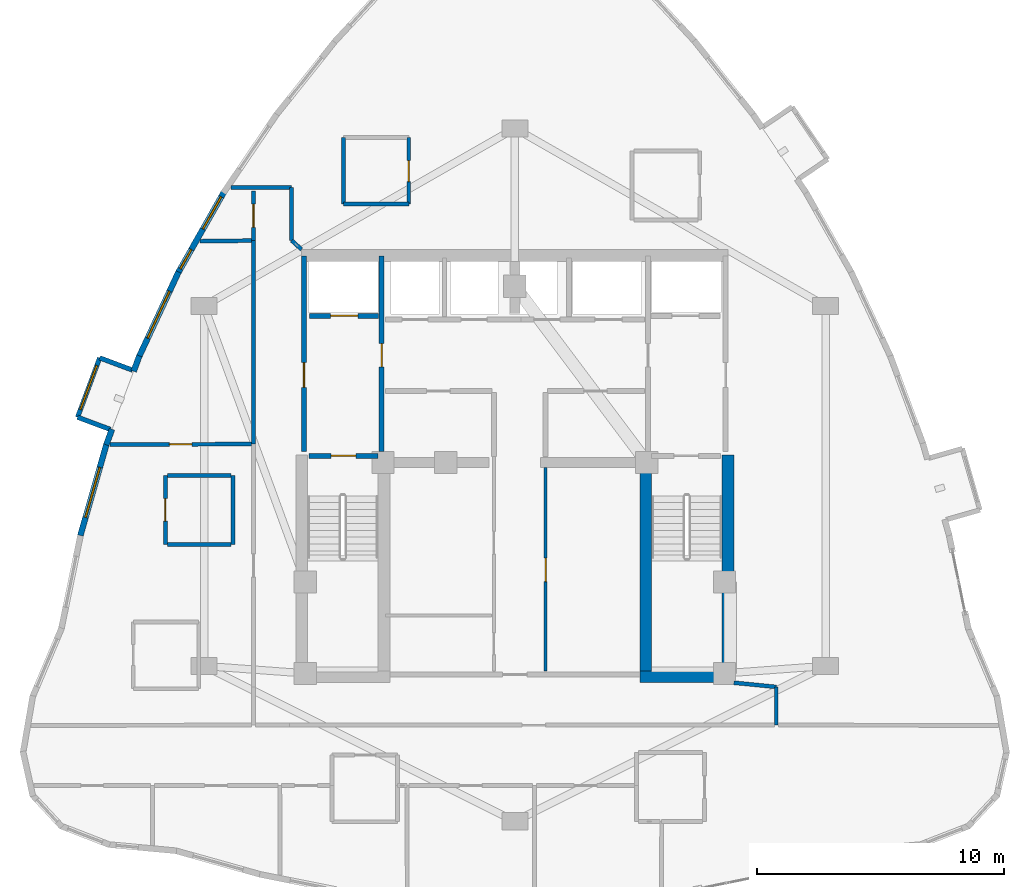
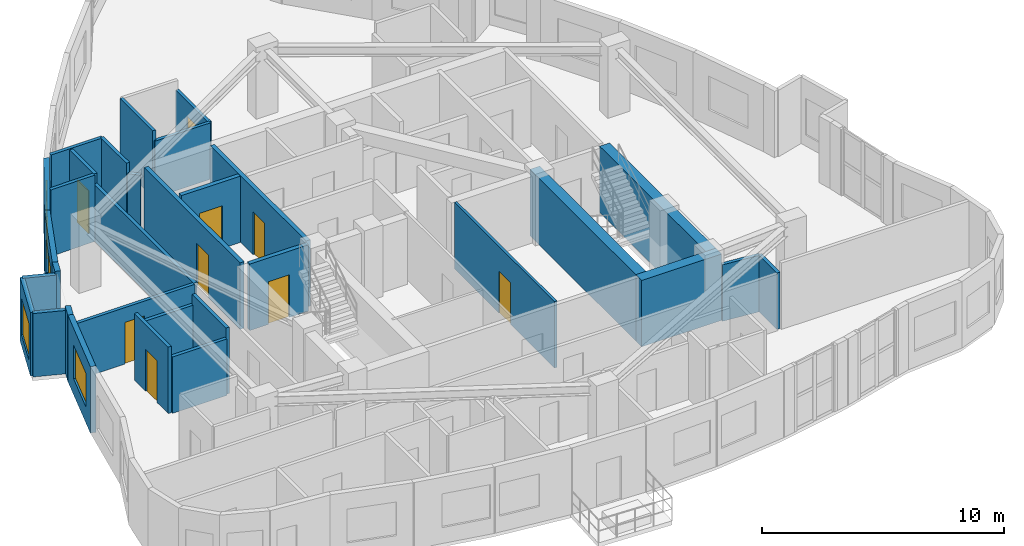
# One storey, part 11 of 15: 32 walls, 9 doors, 5 windows, 14 openings.
"""IFC4 building model written with IfcOpenShell, lengths in metres."""

from ifc_helpers import new_model, si_unit, direction, frame, frame_2d, origin, place, context, subcontext, project, spatial, rectangle, extrude, material, layer, layer_set, type_object, element, fill, save


model = new_model("IFC4")

# Units and contexts
model_context = context("Model", 3, precision=1e-05, world=origin(), true_north=direction((0.0, 1.0)))
body_context = subcontext(model_context, "Body", "Model", "MODEL_VIEW")
ifc_project = project(units=[si_unit("LENGTHUNIT", "METRE"), si_unit("AREAUNIT", "SQUARE_METRE"), si_unit("VOLUMEUNIT", "CUBIC_METRE"), si_unit("PLANEANGLEUNIT", "RADIAN"), si_unit("MASSUNIT", "GRAM", prefix="KILO")], contexts=[model_context])

# Site, building, storey
site_placement = place(None, origin())
site = spatial("IfcSite", under=ifc_project, at=site_placement, CompositionType="ELEMENT")
building_placement = place(site_placement, origin())
building = spatial("IfcBuilding", under=site, at=building_placement, Name="Miruveldt Soraemaru", CompositionType="ELEMENT")
storey_placement = place(building_placement, frame((0.0, 0.0, 234.0)))
storey = spatial("IfcBuildingStorey", under=building, at=storey_placement, Name="L64", CompositionType="ELEMENT", Elevation=234.0)

# Walls
ifc_material_1 = material(Name="White powder-coated aluminium EN AW-6060 T6", Category="aluminium")
ifc_layer_1 = layer(ifc_material_1, 0.18994140625, Name="White powder-coated aluminium EN AW-6060 T6", Category="aluminium")
ifc_layer_set_1 = layer_set([ifc_layer_1], Name="White powder-coated aluminium EN AW-6060 T6")
wall_type_1 = type_object("IfcWallType", Name="WALL-BAY-ALU190", PredefinedType="SOLIDWALL", material=ifc_layer_set_1)
wall_1_placement = place(storey_placement, frame((28.49951171875, 47.79736328125, 0.0), z_axis=(0.0, 0.0, 1.0), x_axis=(-0.937073323404, 0.34913262031, 0.0)))
element("IfcWall", 1, at=wall_1_placement, inside=storey, type_object=wall_type_1, Name="L64 Bay Window Side Cheek 3L", PredefinedType="SOLIDWALL", context=body_context, shape_type="SweptSolid", body=[
    extrude(rectangle(XDim=1.425048828125, YDim=0.18994140625, at=frame_2d((0.71240234375, 0.0))), origin(), (0.0, 0.0, 1.0), 3.195068359375),
])
wall_2_placement = place(storey_placement, frame((26.26708984375, 45.886474609375, 0.0), z_axis=(0.0, 0.0, 1.0), x_axis=(0.937108491365, -0.349038214831, 0.0)))
element("IfcWall", 2, at=wall_2_placement, inside=storey, type_object=wall_type_1, Name="L64 Bay Window Side Cheek 3R", PredefinedType="SOLIDWALL", context=body_context, shape_type="SweptSolid", body=[
    extrude(rectangle(XDim=1.4248046875, YDim=0.18994140625, at=frame_2d((0.71240234375, 0.0))), origin(), (0.0, 0.0, 1.0), 3.195068359375),
])

# Wall, opening, window
wall_3_placement = place(storey_placement, frame((27.1640625, 48.294921875, 0.0), z_axis=(0.0, 0.0, 1.0), x_axis=(-0.349009248261, -0.93711927983, 0.0)))
wall_3 = element("IfcWall", 3, at=wall_3_placement, inside=storey, type_object=wall_type_1, Name="L64 Bay Window Front Frame 3", PredefinedType="SOLIDWALL", context=body_context, shape_type="SweptSolid", body=[
    extrude(rectangle(XDim=2.570068359375, YDim=0.18994140625, at=frame_2d((1.28515625, 0.0))), origin(), (0.0, 0.0, 1.0), 3.195068359375),
])
opening_1_placement = place(wall_3_placement, frame((0.3349609375, 0.0, 0.550048828125)))
opening_1 = element("IfcOpeningElement", 4, at=opening_1_placement, cuts=wall_3, Name="Opening WN-6", PredefinedType="OPENING", context=body_context, shape_type="SweptSolid", body=[
    extrude(rectangle(XDim=1.89990234375, YDim=1.85009765625, at=frame_2d((0.949951171875, 0.925048828125))), frame((0.0, 0.10498046875, 0.0), z_axis=(0.0, -1.0, 0.0), x_axis=(1.0, 0.0, 0.0)), (0.0, 0.0, 1.0), 0.2099609375),
])
ifc_material_2 = material(Name="Triple low-e insulated glazing", Category="glass")
window_type_1 = type_object("IfcWindowType", Name="WIN-BAYW-1900x1850", PartitioningType="SINGLE_PANEL", PredefinedType="WINDOW", material=ifc_material_2)
window_1_placement = place(opening_1_placement, origin())
window_1 = element("IfcWindow", 5, at=window_1_placement, inside=storey, type_object=window_type_1, Name="L64 Projecting Bay Window 3", OverallHeight=1.85009765625, OverallWidth=1.89990234375, PartitioningType="SINGLE_PANEL", PredefinedType="WINDOW", context=body_context, shape_type="SweptSolid", body=[
    extrude(rectangle(XDim=1.89990234375, YDim=1.85009765625, at=frame_2d((0.949951171875, 0.925048828125))), frame((0.0, 0.030029296875, 0.0), z_axis=(0.0, -1.0, 0.0), x_axis=(1.0, 0.0, 0.0)), (0.0, 0.0, 1.0), 0.06005859375),
])
fill(opening_1, window_1)

# Walls
ifc_material_3 = material(Name="Concrete C60/75 (60 MPa)", Category="concrete")
ifc_layer_2 = layer(ifc_material_3, 0.47998046875, Name="Concrete C60/75 (60 MPa)", Category="concrete")
ifc_layer_set_2 = layer_set([ifc_layer_2], Name="Concrete C60/75 (60 MPa)")
wall_type_2 = type_object("IfcWallType", Name="WALL-CW-480", PredefinedType="SHEAR", material=ifc_layer_set_2)
wall_4_placement = place(storey_placement, frame((49.070068359375, 35.360107421875, 0.0), z_axis=(0.0, 0.0, 1.0), x_axis=(1.0, 0.0, 0.0)))
element("IfcWall", 6, at=wall_4_placement, inside=storey, type_object=wall_type_2, Name="L64 Central Core Shear Wall S2", PredefinedType="SHEAR", context=body_context, shape_type="SweptSolid", body=[
    extrude(rectangle(XDim=3.809814453125, YDim=0.47998046875, at=frame_2d((1.90478515625, 0.0))), origin(), (0.0, 0.0, 1.0), 3.344970703125),
])
wall_5_placement = place(storey_placement, frame((52.639892578125, 35.1201171875, 0.0), z_axis=(0.0, 0.0, 1.0), x_axis=(0.0, 1.0, 0.0)))
element("IfcWall", 7, at=wall_5_placement, inside=storey, type_object=wall_type_2, Name="L64 Central Core Shear Wall E1", PredefinedType="SHEAR", context=body_context, shape_type="SweptSolid", body=[
    extrude(rectangle(XDim=9.22998046875, YDim=0.47998046875, at=frame_2d((4.614990234375, 0.0))), origin(), (0.0, 0.0, 1.0), 3.344970703125),
])
wall_6_placement = place(storey_placement, frame((49.31005859375, 35.39990234375, 0.0), z_axis=(0.0, 0.0, 1.0), x_axis=(0.0, 1.0, 0.0)))
element("IfcWall", 8, at=wall_6_placement, inside=storey, type_object=wall_type_2, Name="L64 Central Core Shear Wall SE-INT", PredefinedType="SHEAR", context=body_context, shape_type="SweptSolid", body=[
    extrude(rectangle(XDim=8.9501953125, YDim=0.47998046875, at=frame_2d((4.47509765625, 0.0))), origin(), (0.0, 0.0, 1.0), 3.344970703125),
])

# Wall, openings, windows
ifc_material_4 = material(Name="Precast concrete C45/55 (45 MPa)", Category="concrete")
ifc_layer_3 = layer(ifc_material_4, 0.239990234375, Name="Precast concrete C45/55 (45 MPa)", Category="concrete")
ifc_layer_set_3 = layer_set([ifc_layer_3], Name="Precast concrete C45/55 (45 MPa)")
wall_type_3 = type_object("IfcWallType", Name="WALL-EXT-PC240", PredefinedType="SOLIDWALL", material=ifc_layer_set_3)
wall_7_placement = place(storey_placement, frame((32.21728515625, 55.044677734375, 0.0), z_axis=(0.0, 0.0, 1.0), x_axis=(-0.493352359711, -0.86982955179, 0.0)))
wall_7 = element("IfcWall", 9, at=wall_7_placement, inside=storey, type_object=wall_type_3, Name="L64 Precast Concrete Facade Wall 10", PredefinedType="SOLIDWALL", context=body_context, shape_type="SweptSolid", body=[
    extrude(rectangle(XDim=3.82470703125, YDim=0.239990234375, at=frame_2d((1.912353515625, 0.0))), origin(), (0.0, 0.0, 1.0), 3.344970703125),
])
opening_2_placement = place(wall_7_placement, frame((0.25390625, 0.0, 0.800048828125)))
opening_2 = element("IfcOpeningElement", 10, at=opening_2_placement, cuts=wall_7, Name="Opening WN-3", PredefinedType="OPENING", context=body_context, shape_type="SweptSolid", body=[
    extrude(rectangle(XDim=1.5, YDim=1.60009765625, at=frame_2d((0.75, 0.800048828125))), frame((0.0, 0.1298828125, 0.0), z_axis=(0.0, -1.0, 0.0), x_axis=(1.0, 0.0, 0.0)), (0.0, 0.0, 1.0), 0.260009765625),
])
opening_3_placement = place(wall_7_placement, frame((2.70703125, 0.0, 0.780029296875)))
opening_3 = element("IfcOpeningElement", 11, at=opening_3_placement, cuts=wall_7, Name="Opening WN-7", PredefinedType="OPENING", context=body_context, shape_type="SweptSolid", body=[
    extrude(rectangle(XDim=0.89990234375, YDim=1.5, at=frame_2d((0.449951171875, 0.75))), frame((0.0, 0.1298828125, 0.0), z_axis=(0.0, -1.0, 0.0), x_axis=(1.0, 0.0, 0.0)), (0.0, 0.0, 1.0), 0.260009765625),
])
window_type_2 = type_object("IfcWindowType", Name="WIN-PUNCH-1500x1600", PartitioningType="SINGLE_PANEL", PredefinedType="WINDOW", material=ifc_material_2)
window_2_placement = place(opening_2_placement, origin())
window_2 = element("IfcWindow", 12, at=window_2_placement, inside=storey, type_object=window_type_2, Name="L64 Punched Triple-Glazed Window 10.1", OverallHeight=1.60009765625, OverallWidth=1.5, PartitioningType="SINGLE_PANEL", PredefinedType="WINDOW", context=body_context, shape_type="SweptSolid", body=[
    extrude(rectangle(XDim=1.5, YDim=1.60009765625, at=frame_2d((0.75, 0.800048828125))), frame((0.0, 0.030029296875, 0.0), z_axis=(0.0, -1.0, 0.0), x_axis=(1.0, 0.0, 0.0)), (0.0, 0.0, 1.0), 0.06005859375),
])
fill(opening_2, window_2)
window_type_3 = type_object("IfcWindowType", Name="WIN-PUNCH-900x1500", PartitioningType="SINGLE_PANEL", PredefinedType="WINDOW", material=ifc_material_2)
window_3_placement = place(opening_3_placement, origin())
window_3 = element("IfcWindow", 13, at=window_3_placement, inside=storey, type_object=window_type_3, Name="L64 Punched Triple-Glazed Window 10.2", OverallHeight=1.5, OverallWidth=0.89990234375, PartitioningType="SINGLE_PANEL", PredefinedType="WINDOW", context=body_context, shape_type="SweptSolid", body=[
    extrude(rectangle(XDim=0.89990234375, YDim=1.5, at=frame_2d((0.449951171875, 0.75))), frame((0.0, 0.030029296875, 0.0), z_axis=(0.0, -1.0, 0.0), x_axis=(1.0, 0.0, 0.0)), (0.0, 0.0, 1.0), 0.06005859375),
])
fill(opening_3, window_3)

# Wall, opening, window
wall_8_placement = place(storey_placement, frame((30.3623046875, 51.77978515625, 0.0), z_axis=(0.0, 0.0, 1.0), x_axis=(-0.42232625423, -0.906443895113, 0.0)))
wall_8 = element("IfcWall", 14, at=wall_8_placement, inside=storey, type_object=wall_type_3, Name="L64 Precast Concrete Facade Wall 11", PredefinedType="SOLIDWALL", context=body_context, shape_type="SweptSolid", body=[
    extrude(rectangle(XDim=3.82470703125, YDim=0.239990234375, at=frame_2d((1.912353515625, 0.0))), origin(), (0.0, 0.0, 1.0), 3.344970703125),
])
opening_4_placement = place(wall_8_placement, frame((0.863037109375, 0.0, 0.800048828125)))
opening_4 = element("IfcOpeningElement", 15, at=opening_4_placement, cuts=wall_8, Name="Opening WN-1", PredefinedType="OPENING", context=body_context, shape_type="SweptSolid", body=[
    extrude(rectangle(XDim=2.10009765625, YDim=1.699951171875, at=frame_2d((1.050048828125, 0.85009765625))), frame((0.0, 0.1298828125, 0.0), z_axis=(0.0, -1.0, 0.0), x_axis=(1.0, 0.0, 0.0)), (0.0, 0.0, 1.0), 0.260009765625),
])
window_type_4 = type_object("IfcWindowType", Name="WIN-PUNCH-2100x1700", PartitioningType="SINGLE_PANEL", PredefinedType="WINDOW", material=ifc_material_2)
window_4_placement = place(opening_4_placement, origin())
window_4 = element("IfcWindow", 16, at=window_4_placement, inside=storey, type_object=window_type_4, Name="L64 Punched Triple-Glazed Window 11.1", OverallHeight=1.699951171875, OverallWidth=2.10009765625, PartitioningType="SINGLE_PANEL", PredefinedType="WINDOW", context=body_context, shape_type="SweptSolid", body=[
    extrude(rectangle(XDim=2.10009765625, YDim=1.699951171875, at=frame_2d((1.050048828125, 0.85009765625))), frame((0.0, 0.030029296875, 0.0), z_axis=(0.0, -1.0, 0.0), x_axis=(1.0, 0.0, 0.0)), (0.0, 0.0, 1.0), 0.06005859375),
])
fill(opening_4, window_4)

# Walls
wall_9_placement = place(storey_placement, frame((28.774169921875, 48.37744140625, 0.0), z_axis=(0.0, 0.0, 1.0), x_axis=(-0.348964613968, -0.93713590167, 0.0)))
element("IfcWall", 17, at=wall_9_placement, inside=storey, type_object=wall_type_3, Name="L64 Precast Pier Wall 12A", PredefinedType="SOLIDWALL", context=body_context, shape_type="SweptSolid", body=[
    extrude(rectangle(XDim=0.66943359375, YDim=0.239990234375, at=frame_2d((0.334716796875, 0.0))), origin(), (0.0, 0.0, 1.0), 3.344970703125),
])
wall_10_placement = place(storey_placement, frame((27.664306640625, 45.39794921875, 0.0), z_axis=(0.0, 0.0, 1.0), x_axis=(-0.348763520989, -0.937210758809, 0.0)))
element("IfcWall", 18, at=wall_10_placement, inside=storey, type_object=wall_type_3, Name="L64 Precast Pier Wall 12B", PredefinedType="SOLIDWALL", context=body_context, shape_type="SweptSolid", body=[
    extrude(rectangle(XDim=0.669189453125, YDim=0.239990234375, at=frame_2d((0.33447265625, 0.0))), origin(), (0.0, 0.0, 1.0), 3.344970703125),
])

# Wall, opening, window
wall_11_placement = place(storey_placement, frame((27.45263671875, 44.837158203125, 0.0), z_axis=(0.0, 0.0, 1.0), x_axis=(-0.274952844337, -0.961457712742, 0.0)))
wall_11 = element("IfcWall", 19, at=wall_11_placement, inside=storey, type_object=wall_type_3, Name="L64 Precast Concrete Facade Wall 13", PredefinedType="SOLIDWALL", context=body_context, shape_type="SweptSolid", body=[
    extrude(rectangle(XDim=3.896240234375, YDim=0.239990234375, at=frame_2d((1.9482421875, 0.0))), origin(), (0.0, 0.0, 1.0), 3.344970703125),
])
opening_5_placement = place(wall_11_placement, frame((1.029052734375, 0.0, 0.800048828125)))
opening_5 = element("IfcOpeningElement", 20, at=opening_5_placement, cuts=wall_11, Name="Opening WN-1", PredefinedType="OPENING", context=body_context, shape_type="SweptSolid", body=[
    extrude(rectangle(XDim=2.10009765625, YDim=1.699951171875, at=frame_2d((1.050048828125, 0.85009765625))), frame((0.0, 0.1298828125, 0.0), z_axis=(0.0, -1.0, 0.0), x_axis=(1.0, 0.0, 0.0)), (0.0, 0.0, 1.0), 0.260009765625),
])
window_5_placement = place(opening_5_placement, origin())
window_5 = element("IfcWindow", 21, at=window_5_placement, inside=storey, type_object=window_type_4, Name="L64 Punched Triple-Glazed Window 13.1", OverallHeight=1.699951171875, OverallWidth=2.10009765625, PartitioningType="SINGLE_PANEL", PredefinedType="WINDOW", context=body_context, shape_type="SweptSolid", body=[
    extrude(rectangle(XDim=2.10009765625, YDim=1.699951171875, at=frame_2d((1.050048828125, 0.85009765625))), frame((0.0, 0.030029296875, 0.0), z_axis=(0.0, -1.0, 0.0), x_axis=(1.0, 0.0, 0.0)), (0.0, 0.0, 1.0), 0.06005859375),
])
fill(opening_5, window_5)

# Wall, opening, door
ifc_material_5 = material(Name="Gypsum plasterboard lining", Category="gypsum")
ifc_layer_4 = layer(ifc_material_5, 0.1201171875, Name="Gypsum plasterboard lining", Category="gypsum")
ifc_layer_set_4 = layer_set([ifc_layer_4], Name="Gypsum plasterboard lining")
wall_type_4 = type_object("IfcWallType", Name="WALL-INT-P120", PredefinedType="PARTITIONING", material=ifc_layer_set_4)
wall_12_placement = place(storey_placement, frame((45.25, 35.60009765625, 0.0), z_axis=(0.0, 0.0, 1.0), x_axis=(0.0, 1.0, 0.0)))
wall_12 = element("IfcWall", 22, at=wall_12_placement, inside=storey, type_object=wall_type_4, Name="L64 Core Compartment Wall SP-EL", PredefinedType="PARTITIONING", context=body_context, shape_type="SweptSolid", body=[
    extrude(rectangle(XDim=8.25, YDim=0.1201171875, at=frame_2d((4.125, 0.0))), origin(), (0.0, 0.0, 1.0), 3.344970703125),
])
opening_6_placement = place(wall_12_placement, frame((3.625, 0.0, 0.0)))
opening_6 = element("IfcOpeningElement", 23, at=opening_6_placement, cuts=wall_12, Name="Opening D2", PredefinedType="OPENING", context=body_context, shape_type="SweptSolid", body=[
    extrude(rectangle(XDim=0.949951171875, YDim=2.10009765625, at=frame_2d((0.47509765625, 1.050048828125))), frame((0.0, 0.070068359375, 0.0), z_axis=(0.0, -1.0, 0.0), x_axis=(1.0, 0.0, 0.0)), (0.0, 0.0, 1.0), 0.14013671875),
])
ifc_material_6 = material(Name="Anodised aluminium EN AW-6063 T6", Category="aluminium")
door_type_1 = type_object("IfcDoorType", Name="DOOR-INT-950", OperationType="NOTDEFINED", PredefinedType="DOOR", material=ifc_material_6)
door_1_placement = place(opening_6_placement, origin())
door_1 = element("IfcDoor", 24, at=door_1_placement, inside=storey, type_object=door_type_1, Name="L64 Fire Door", OperationType="SINGLE_SWING_LEFT", OverallHeight=2.10009765625, OverallWidth=0.949951171875, PredefinedType="DOOR", context=body_context, shape_type="SweptSolid", body=[
    extrude(rectangle(XDim=0.949951171875, YDim=2.10009765625, at=frame_2d((0.47509765625, 1.050048828125))), frame((0.0, 0.02490234375, 0.0), z_axis=(0.0, -1.0, 0.0), x_axis=(1.0, 0.0, 0.0)), (0.0, 0.0, 1.0), 0.050048828125),
])
fill(opening_6, door_1)

ifc_layer_5 = layer(ifc_material_5, 0.14990234375, Name="Gypsum plasterboard lining", Category="gypsum")
ifc_layer_set_5 = layer_set([ifc_layer_5], Name="Gypsum plasterboard lining")
wall_type_5 = type_object("IfcWallType", Name="WALL-INT-PLUMB", PredefinedType="PLUMBINGWALL", material=ifc_layer_set_5)
wall_13_placement = place(storey_placement, frame((39.698974609375, 54.530029296875, 0.0), z_axis=(0.0, 0.0, 1.0), x_axis=(0.0, 1.0, 0.0)))
wall_13 = element("IfcWall", 25, at=wall_13_placement, inside=storey, type_object=wall_type_5, Name="L64 Partition Wall 35", PredefinedType="PLUMBINGWALL", context=body_context, shape_type="SweptSolid", body=[
    extrude(rectangle(XDim=2.699951171875, YDim=0.14990234375, at=frame_2d((1.35009765625, 0.0))), origin(), (0.0, 0.0, 1.0), 2.844970703125),
])
opening_7_placement = place(wall_13_placement, frame((0.909912109375, 0.0, 0.0)))
opening_7 = element("IfcOpeningElement", 26, at=opening_7_placement, cuts=wall_13, Name="Opening FD3", PredefinedType="OPENING", context=body_context, shape_type="SweptSolid", body=[
    extrude(rectangle(XDim=0.85009765625, YDim=2.10009765625, at=frame_2d((0.425048828125, 1.050048828125))), frame((0.0, 0.0849609375, 0.0), z_axis=(0.0, -1.0, 0.0), x_axis=(1.0, 0.0, 0.0)), (0.0, 0.0, 1.0), 0.169921875),
])
door_type_2 = type_object("IfcDoorType", Name="DOOR-FD3-850", OperationType="NOTDEFINED", PredefinedType="DOOR", material=ifc_material_6)
door_2_placement = place(opening_7_placement, origin())
door_2 = element("IfcDoor", 27, at=door_2_placement, inside=storey, type_object=door_type_2, Name="L64 Unit CL02 BTH Door", OperationType="SINGLE_SWING_LEFT", OverallHeight=2.10009765625, OverallWidth=0.85009765625, PredefinedType="DOOR", context=body_context, shape_type="SweptSolid", body=[
    extrude(rectangle(XDim=0.85009765625, YDim=2.10009765625, at=frame_2d((0.425048828125, 1.050048828125))), frame((0.0, 0.02490234375, 0.0), z_axis=(0.0, -1.0, 0.0), x_axis=(1.0, 0.0, 0.0)), (0.0, 0.0, 1.0), 0.050048828125),
])
fill(opening_7, door_2)

# Walls
wall_14_placement = place(storey_placement, frame((37.049072265625, 57.22998046875, 0.0), z_axis=(0.0, 0.0, 1.0), x_axis=(0.0, -1.0, 0.0)))
element("IfcWall", 28, at=wall_14_placement, inside=storey, type_object=wall_type_5, Name="L64 Partition Wall 37", PredefinedType="PLUMBINGWALL", context=body_context, shape_type="SweptSolid", body=[
    extrude(rectangle(XDim=2.699951171875, YDim=0.14990234375, at=frame_2d((1.35009765625, 0.0))), origin(), (0.0, 0.0, 1.0), 3.344970703125),
])
wall_15_placement = place(storey_placement, frame((37.049072265625, 54.530029296875, 0.0), z_axis=(0.0, 0.0, 1.0), x_axis=(1.0, 0.0, 0.0)))
element("IfcWall", 29, at=wall_15_placement, inside=storey, type_object=wall_type_5, Name="L64 Partition Wall 38", PredefinedType="PLUMBINGWALL", context=body_context, shape_type="SweptSolid", body=[
    extrude(rectangle(XDim=2.64990234375, YDim=0.14990234375, at=frame_2d((1.324951171875, 0.0))), origin(), (0.0, 0.0, 1.0), 2.844970703125),
])

# Wall, opening, door
ifc_material_7 = material(Name="Concrete C40/50 (40 MPa)", Category="concrete")
ifc_layer_6 = layer(ifc_material_7, 0.159912109375, Name="Concrete C40/50 (40 MPa)", Category="concrete")
ifc_layer_set_6 = layer_set([ifc_layer_6], Name="Concrete C40/50 (40 MPa)")
wall_type_6 = type_object("IfcWallType", Name="WALL-INT-RC160", PredefinedType="SOLIDWALL", material=ifc_layer_set_6)
wall_16_placement = place(storey_placement, frame((33.320068359375, 44.797119140625, 0.0), z_axis=(0.0, 0.0, 1.0), x_axis=(-0.999994502904, -0.003315744398, 0.0)))
wall_16 = element("IfcWall", 30, at=wall_16_placement, inside=storey, type_object=wall_type_6, Name="L64 Partition Wall 52", PredefinedType="SOLIDWALL", context=body_context, shape_type="SweptSolid", body=[
    extrude(rectangle(XDim=5.7431640625, YDim=0.159912109375, at=frame_2d((2.87158203125, 0.0))), origin(), (0.0, 0.0, 1.0), 2.844970703125),
])
opening_8_placement = place(wall_16_placement, frame((2.412109375, 0.0, 0.0)))
opening_8 = element("IfcOpeningElement", 31, at=opening_8_placement, cuts=wall_16, Name="Opening D3A", PredefinedType="OPENING", context=body_context, shape_type="SweptSolid", body=[
    extrude(rectangle(XDim=0.919921875, YDim=2.10009765625, at=frame_2d((0.4599609375, 1.050048828125))), frame((0.0, 0.08984375, 0.0), z_axis=(0.0, -1.0, 0.0), x_axis=(1.0, 0.0, 0.0)), (0.0, 0.0, 1.0), 0.179931640625),
])
door_type_3 = type_object("IfcDoorType", Name="DOOR-INT-920", OperationType="NOTDEFINED", PredefinedType="DOOR", material=ifc_material_6)
door_3_placement = place(opening_8_placement, origin())
door_3 = element("IfcDoor", 32, at=door_3_placement, inside=storey, type_object=door_type_3, Name="L64 Unit 6403 DIN Door", OperationType="SINGLE_SWING_RIGHT", OverallHeight=2.10009765625, OverallWidth=0.919921875, PredefinedType="DOOR", context=body_context, shape_type="SweptSolid", body=[
    extrude(rectangle(XDim=0.919921875, YDim=2.10009765625, at=frame_2d((0.4599609375, 1.050048828125))), frame((0.0, 0.02490234375, 0.0), z_axis=(0.0, -1.0, 0.0), x_axis=(1.0, 0.0, 0.0)), (0.0, 0.0, 1.0), 0.050048828125),
])
fill(opening_8, door_3)

wall_17_placement = place(storey_placement, frame((29.8291015625, 43.530029296875, 0.0), z_axis=(0.0, 0.0, 1.0), x_axis=(0.0, -1.0, 0.0)))
wall_17 = element("IfcWall", 33, at=wall_17_placement, inside=storey, type_object=wall_type_6, Name="L64 Partition Wall 50", PredefinedType="SOLIDWALL", context=body_context, shape_type="SweptSolid", body=[
    extrude(rectangle(XDim=2.800048828125, YDim=0.159912109375, at=frame_2d((1.39990234375, 0.0))), origin(), (0.0, 0.0, 1.0), 3.344970703125),
])
opening_9_placement = place(wall_17_placement, frame((0.93994140625, 0.0, 0.0)))
opening_9 = element("IfcOpeningElement", 34, at=opening_9_placement, cuts=wall_17, Name="Opening D3A", PredefinedType="OPENING", context=body_context, shape_type="SweptSolid", body=[
    extrude(rectangle(XDim=0.919921875, YDim=2.10009765625, at=frame_2d((0.4599609375, 1.050048828125))), frame((0.0, 0.08984375, 0.0), z_axis=(0.0, -1.0, 0.0), x_axis=(1.0, 0.0, 0.0)), (0.0, 0.0, 1.0), 0.179931640625),
])
door_4_placement = place(opening_9_placement, origin())
door_4 = element("IfcDoor", 35, at=door_4_placement, inside=storey, type_object=door_type_3, Name="L64 Unit 6403 KIT Door", OperationType="SINGLE_SWING_LEFT", OverallHeight=2.10009765625, OverallWidth=0.919921875, PredefinedType="DOOR", context=body_context, shape_type="SweptSolid", body=[
    extrude(rectangle(XDim=0.919921875, YDim=2.10009765625, at=frame_2d((0.4599609375, 1.050048828125))), frame((0.0, 0.02490234375, 0.0), z_axis=(0.0, -1.0, 0.0), x_axis=(1.0, 0.0, 0.0)), (0.0, 0.0, 1.0), 0.050048828125),
])
fill(opening_9, door_4)

wall_18_placement = place(storey_placement, frame((33.39990234375, 55.06005859375, 0.0), z_axis=(0.0, 0.0, 1.0), x_axis=(0.0, -1.0, 0.0)))
wall_18 = element("IfcWall", 36, at=wall_18_placement, inside=storey, type_object=wall_type_6, Name="L64 Partition Wall 7", PredefinedType="SOLIDWALL", context=body_context, shape_type="SweptSolid", body=[
    extrude(rectangle(XDim=2.007080078125, YDim=0.159912109375, at=frame_2d((1.00341796875, 0.0))), origin(), (0.0, 0.0, 1.0), 3.344970703125),
])
opening_10_placement = place(wall_18_placement, frame((0.529052734375, 0.0, 0.0)))
opening_10 = element("IfcOpeningElement", 37, at=opening_10_placement, cuts=wall_18, Name="Opening FD2", PredefinedType="OPENING", context=body_context, shape_type="SweptSolid", body=[
    extrude(rectangle(XDim=0.949951171875, YDim=2.14990234375, at=frame_2d((0.47509765625, 1.074951171875))), frame((0.0, 0.08984375, 0.0), z_axis=(0.0, -1.0, 0.0), x_axis=(1.0, 0.0, 0.0)), (0.0, 0.0, 1.0), 0.179931640625),
])
door_type_4 = type_object("IfcDoorType", Name="DOOR-FD2-950", OperationType="NOTDEFINED", PredefinedType="DOOR", material=ifc_material_6)
door_5_placement = place(opening_10_placement, origin())
door_5 = element("IfcDoor", 38, at=door_5_placement, inside=storey, type_object=door_type_4, Name="L64 Unit CL02 Entrance Fire Door", OperationType="SINGLE_SWING_RIGHT", OverallHeight=2.14990234375, OverallWidth=0.949951171875, PredefinedType="DOOR", context=body_context, shape_type="SweptSolid", body=[
    extrude(rectangle(XDim=0.949951171875, YDim=2.14990234375, at=frame_2d((0.47509765625, 1.074951171875))), frame((0.0, 0.02490234375, 0.0), z_axis=(0.0, -1.0, 0.0), x_axis=(1.0, 0.0, 0.0)), (0.0, 0.0, 1.0), 0.050048828125),
])
fill(opening_10, door_5)

# Walls
wall_19_placement = place(storey_placement, frame((33.39990234375, 53.050048828125, 0.0), z_axis=(0.0, 0.0, 1.0), x_axis=(0.0, -1.0, 0.0)))
element("IfcWall", 39, at=wall_19_placement, inside=storey, type_object=wall_type_6, Name="L64 Partition Wall 10", PredefinedType="SOLIDWALL", context=body_context, shape_type="SweptSolid", body=[
    extrude(rectangle(XDim=8.2529296875, YDim=0.159912109375, at=frame_2d((4.12646484375, 0.0))), origin(), (0.0, 0.0, 1.0), 2.844970703125),
])
wall_20_placement = place(storey_placement, frame((32.5791015625, 40.72998046875, 0.0), z_axis=(0.0, 0.0, 1.0), x_axis=(0.0, 1.0, 0.0)))
element("IfcWall", 40, at=wall_20_placement, inside=storey, type_object=wall_type_6, Name="L64 Partition Wall 48", PredefinedType="SOLIDWALL", context=body_context, shape_type="SweptSolid", body=[
    extrude(rectangle(XDim=2.800048828125, YDim=0.159912109375, at=frame_2d((1.39990234375, 0.0))), origin(), (0.0, 0.0, 1.0), 3.344970703125),
])
for number, where, z_axis, x_axis, name in (
    (41, (32.4990234375, 43.530029296875, 0.0), (0.0, 0.0, 1.0), (-1.0, 0.0, 0.0), "L64 Partition Wall 49"),
    (42, (29.908935546875, 40.72998046875, 0.0), (0.0, 0.0, 1.0), (1.0, 0.0, 0.0), "L64 Partition Wall 51"),
):
    element("IfcWall", number, at=place(storey_placement, frame(where, z_axis=z_axis, x_axis=x_axis)), inside=storey, type_object=wall_type_6, Name=name, PredefinedType="SOLIDWALL", context=body_context, shape_type="SweptSolid", body=[
        extrude(rectangle(XDim=2.590087890625, YDim=0.159912109375, at=frame_2d((1.294921875, 0.0))), origin(), (0.0, 0.0, 1.0), 2.844970703125),
    ])
wall_21_placement = place(storey_placement, frame((34.949951171875, 55.199951171875, 0.0), z_axis=(0.0, 0.0, 1.0), x_axis=(-1.0, 0.0, 0.0)))
element("IfcWall", 43, at=wall_21_placement, inside=storey, type_object=wall_type_6, Name="L64 Partition Wall 6", PredefinedType="SOLIDWALL", context=body_context, shape_type="SweptSolid", body=[
    extrude(rectangle(XDim=2.4609375, YDim=0.159912109375, at=frame_2d((1.23046875, 0.0))), origin(), (0.0, 0.0, 1.0), 3.344970703125),
])
wall_22_placement = place(storey_placement, frame((34.949951171875, 53.054931640625, 0.0), z_axis=(0.0, 0.0, 1.0), x_axis=(0.0, 1.0, 0.0)))
element("IfcWall", 44, at=wall_22_placement, inside=storey, type_object=wall_type_6, Name="L64 Partition Wall 5", PredefinedType="SOLIDWALL", context=body_context, shape_type="SweptSolid", body=[
    extrude(rectangle(XDim=2.14501953125, YDim=0.159912109375, at=frame_2d((1.072509765625, 0.0))), origin(), (0.0, 0.0, 1.0), 3.344970703125),
])
wall_23_placement = place(storey_placement, frame((31.22607421875, 53.02294921875, 0.0), z_axis=(0.0, 0.0, 1.0), x_axis=(0.999922193469, 0.012474253784, 0.0)))
element("IfcWall", 45, at=wall_23_placement, inside=storey, type_object=wall_type_6, Name="L64 Partition Wall 43", PredefinedType="SOLIDWALL", context=body_context, shape_type="SweptSolid", body=[
    extrude(rectangle(XDim=2.09423828125, YDim=0.159912109375, at=frame_2d((1.047119140625, 0.0))), origin(), (0.0, 0.0, 1.0), 3.344970703125),
])
wall_24_placement = place(storey_placement, frame((54.60009765625, 34.949951171875, 0.0), z_axis=(0.0, 0.0, 1.0), x_axis=(-0.995142898622, 0.098440902688, 0.0)))
element("IfcWall", 46, at=wall_24_placement, inside=storey, type_object=wall_type_6, Name="L64 Partition Wall 4", PredefinedType="SOLIDWALL", context=body_context, shape_type="SweptSolid", body=[
    extrude(rectangle(XDim=1.728515625, YDim=0.159912109375, at=frame_2d((0.8642578125, 0.0))), origin(), (0.0, 0.0, 1.0), 2.844970703125),
])
wall_25_placement = place(storey_placement, frame((54.60009765625, 33.405029296875, 0.0), z_axis=(0.0, 0.0, 1.0), x_axis=(0.0, 1.0, 0.0)))
element("IfcWall", 47, at=wall_25_placement, inside=storey, type_object=wall_type_6, Name="L64 Partition Wall 3", PredefinedType="SOLIDWALL", context=body_context, shape_type="SweptSolid", body=[
    extrude(rectangle(XDim=1.544921875, YDim=0.159912109375, at=frame_2d((0.7724609375, 0.0))), origin(), (0.0, 0.0, 1.0), 2.844970703125),
])
wall_26_placement = place(storey_placement, frame((34.949951171875, 53.054931640625, 0.0), z_axis=(0.0, 0.0, 1.0), x_axis=(0.738817210736, -0.673905875565, 0.0)))
element("IfcWall", 48, at=wall_26_placement, inside=storey, type_object=wall_type_6, Name="L64 Partition Closure Return 1", PredefinedType="SOLIDWALL", context=body_context, shape_type="SweptSolid", body=[
    extrude(rectangle(XDim=0.54150390625, YDim=0.159912109375, at=frame_2d((0.270751953125, 0.0))), origin(), (0.0, 0.0, 1.0), 2.844970703125),
])

# Wall, opening, door
ifc_layer_7 = layer(ifc_material_7, 0.199951171875, Name="Concrete C40/50 (40 MPa)", Category="concrete")
ifc_layer_set_7 = layer_set([ifc_layer_7], Name="Concrete C40/50 (40 MPa)")
wall_type_7 = type_object("IfcWallType", Name="WALL-INT-RC200", PredefinedType="SOLIDWALL", material=ifc_layer_set_7)
wall_27_placement = place(storey_placement, frame((35.449951171875, 44.5, 0.0), z_axis=(0.0, 0.0, 1.0), x_axis=(0.0, 1.0, 0.0)))
wall_27 = element("IfcWall", 49, at=wall_27_placement, inside=storey, type_object=wall_type_7, Name="L64 Core Compartment Wall FFW-OUT", PredefinedType="SOLIDWALL", context=body_context, shape_type="SweptSolid", body=[
    extrude(rectangle(XDim=7.919921875, YDim=0.199951171875, at=frame_2d((3.9599609375, 0.0))), origin(), (0.0, 0.0, 1.0), 3.344970703125),
])
opening_11_placement = place(wall_27_placement, frame((2.60009765625, 0.0, 0.0)))
opening_11 = element("IfcOpeningElement", 50, at=opening_11_placement, cuts=wall_27, Name="Opening FD1", PredefinedType="OPENING", context=body_context, shape_type="SweptSolid", body=[
    extrude(rectangle(XDim=1.0, YDim=2.14990234375, at=frame_2d((0.5, 1.074951171875))), frame((0.0, 0.10986328125, 0.0), z_axis=(0.0, -1.0, 0.0), x_axis=(1.0, 0.0, 0.0)), (0.0, 0.0, 1.0), 0.219970703125),
])
door_type_5 = type_object("IfcDoorType", Name="DOOR-FD1-1000", OperationType="NOTDEFINED", PredefinedType="DOOR", material=ifc_material_6)
door_6_placement = place(opening_11_placement, origin())
door_6 = element("IfcDoor", 51, at=door_6_placement, inside=storey, type_object=door_type_5, Name="L64 West Firefighting Lobby Exit Door", OperationType="SINGLE_SWING_LEFT", OverallHeight=2.14990234375, OverallWidth=1.0, PredefinedType="DOOR", context=body_context, shape_type="SweptSolid", body=[
    extrude(rectangle(XDim=1.0, YDim=2.14990234375, at=frame_2d((0.5, 1.074951171875))), frame((0.0, 0.02490234375, 0.0), z_axis=(0.0, -1.0, 0.0), x_axis=(1.0, 0.0, 0.0)), (0.0, 0.0, 1.0), 0.050048828125),
])
fill(opening_11, door_6)

wall_28_placement = place(storey_placement, frame((38.60009765625, 44.5, 0.0), z_axis=(0.0, 0.0, 1.0), x_axis=(0.0, 1.0, 0.0)))
wall_28 = element("IfcWall", 52, at=wall_28_placement, inside=storey, type_object=wall_type_7, Name="L64 Core Compartment Wall FFW-IN", PredefinedType="SOLIDWALL", context=body_context, shape_type="SweptSolid", body=[
    extrude(rectangle(XDim=7.919921875, YDim=0.199951171875, at=frame_2d((3.9599609375, 0.0))), origin(), (0.0, 0.0, 1.0), 3.344970703125),
])
opening_12_placement = place(wall_28_placement, frame((3.425048828125, 0.0, 0.0)))
opening_12 = element("IfcOpeningElement", 53, at=opening_12_placement, cuts=wall_28, Name="Opening FD2", PredefinedType="OPENING", context=body_context, shape_type="SweptSolid", body=[
    extrude(rectangle(XDim=0.949951171875, YDim=2.14990234375, at=frame_2d((0.47509765625, 1.074951171875))), frame((0.0, 0.10986328125, 0.0), z_axis=(0.0, -1.0, 0.0), x_axis=(1.0, 0.0, 0.0)), (0.0, 0.0, 1.0), 0.219970703125),
])
door_7_placement = place(opening_12_placement, frame((0.949951171875, 0.0, 0.0), z_axis=(0.0, 0.0, 1.0), x_axis=(-1.0, 0.0, 0.0)))
door_7 = element("IfcDoor", 54, at=door_7_placement, inside=storey, type_object=door_type_4, Name="L64 Lift Lobby to West Fire Lobby Door", OperationType="SINGLE_SWING_RIGHT", OverallHeight=2.14990234375, OverallWidth=0.949951171875, PredefinedType="DOOR", context=body_context, shape_type="SweptSolid", body=[
    extrude(rectangle(XDim=0.949951171875, YDim=2.14990234375, at=frame_2d((0.47509765625, 1.074951171875))), frame((0.0, 0.02490234375, 0.0), z_axis=(0.0, -1.0, 0.0), x_axis=(1.0, 0.0, 0.0)), (0.0, 0.0, 1.0), 0.050048828125),
])
fill(opening_12, door_7)

wall_29_placement = place(storey_placement, frame((35.64990234375, 44.320068359375, 0.0), z_axis=(0.0, 0.0, 1.0), x_axis=(1.0, 0.0, 0.0)))
wall_29 = element("IfcWall", 55, at=wall_29_placement, inside=storey, type_object=wall_type_7, Name="L64 Core Compartment Wall ST1-N", PredefinedType="SOLIDWALL", context=body_context, shape_type="SweptSolid", body=[
    extrude(rectangle(XDim=2.800048828125, YDim=0.199951171875, at=frame_2d((1.39990234375, 0.0))), origin(), (0.0, 0.0, 1.0), 3.344970703125),
])
opening_13_placement = place(wall_29_placement, frame((0.89990234375, 0.0, 0.0)))
opening_13 = element("IfcOpeningElement", 56, at=opening_13_placement, cuts=wall_29, Name="Opening FD1", PredefinedType="OPENING", context=body_context, shape_type="SweptSolid", body=[
    extrude(rectangle(XDim=1.0, YDim=2.14990234375, at=frame_2d((0.5, 1.074951171875))), frame((0.0, 0.10986328125, 0.0), z_axis=(0.0, -1.0, 0.0), x_axis=(1.0, 0.0, 0.0)), (0.0, 0.0, 1.0), 0.219970703125),
])
door_8_placement = place(opening_13_placement, frame((1.0, 0.0, 0.0), z_axis=(0.0, 0.0, 1.0), x_axis=(-1.0, 0.0, 0.0)))
door_8 = element("IfcDoor", 57, at=door_8_placement, inside=storey, type_object=door_type_5, Name="L64 Stair ST-1 Fire Door", OperationType="SINGLE_SWING_LEFT", OverallHeight=2.14990234375, OverallWidth=1.0, PredefinedType="DOOR", context=body_context, shape_type="SweptSolid", body=[
    extrude(rectangle(XDim=1.0, YDim=2.14990234375, at=frame_2d((0.5, 1.074951171875))), frame((0.0, 0.02490234375, 0.0), z_axis=(0.0, -1.0, 0.0), x_axis=(1.0, 0.0, 0.0)), (0.0, 0.0, 1.0), 0.050048828125),
])
fill(opening_13, door_8)

wall_30_placement = place(storey_placement, frame((35.679931640625, 50.0, 0.0), z_axis=(0.0, 0.0, 1.0), x_axis=(1.0, 0.0, 0.0)))
wall_30 = element("IfcWall", 58, at=wall_30_placement, inside=storey, type_object=wall_type_7, Name="L64 Core Compartment Wall FFL1-S", PredefinedType="SOLIDWALL", context=body_context, shape_type="SweptSolid", body=[
    extrude(rectangle(XDim=2.800048828125, YDim=0.199951171875, at=frame_2d((1.39990234375, 0.0))), origin(), (0.0, 0.0, 1.0), 3.344970703125),
])
opening_14_placement = place(wall_30_placement, frame((0.85009765625, 0.0, 0.0)))
opening_14 = element("IfcOpeningElement", 59, at=opening_14_placement, cuts=wall_30, Name="Opening LD2", PredefinedType="OPENING", context=body_context, shape_type="SweptSolid", body=[
    extrude(rectangle(XDim=1.10009765625, YDim=2.14990234375, at=frame_2d((0.550048828125, 1.074951171875))), frame((0.0, 0.10986328125, 0.0), z_axis=(0.0, -1.0, 0.0), x_axis=(1.0, 0.0, 0.0)), (0.0, 0.0, 1.0), 0.219970703125),
])
door_type_6 = type_object("IfcDoorType", Name="DOOR-LD2-1100", OperationType="SLIDING_TO_LEFT", PredefinedType="DOOR", material=ifc_material_6)
door_9_placement = place(opening_14_placement, origin())
door_9 = element("IfcDoor", 60, at=door_9_placement, inside=storey, type_object=door_type_6, Name="L64 FFL-1 Landing Door", OperationType="SLIDING_TO_LEFT", OverallHeight=2.14990234375, OverallWidth=1.10009765625, PredefinedType="DOOR", context=body_context, shape_type="SweptSolid", body=[
    extrude(rectangle(XDim=1.10009765625, YDim=2.14990234375, at=frame_2d((0.550048828125, 1.074951171875))), frame((0.0, 0.02490234375, 0.0), z_axis=(0.0, -1.0, 0.0), x_axis=(1.0, 0.0, 0.0)), (0.0, 0.0, 1.0), 0.050048828125),
])
fill(opening_14, door_9)

save(model, "model.ifc")
